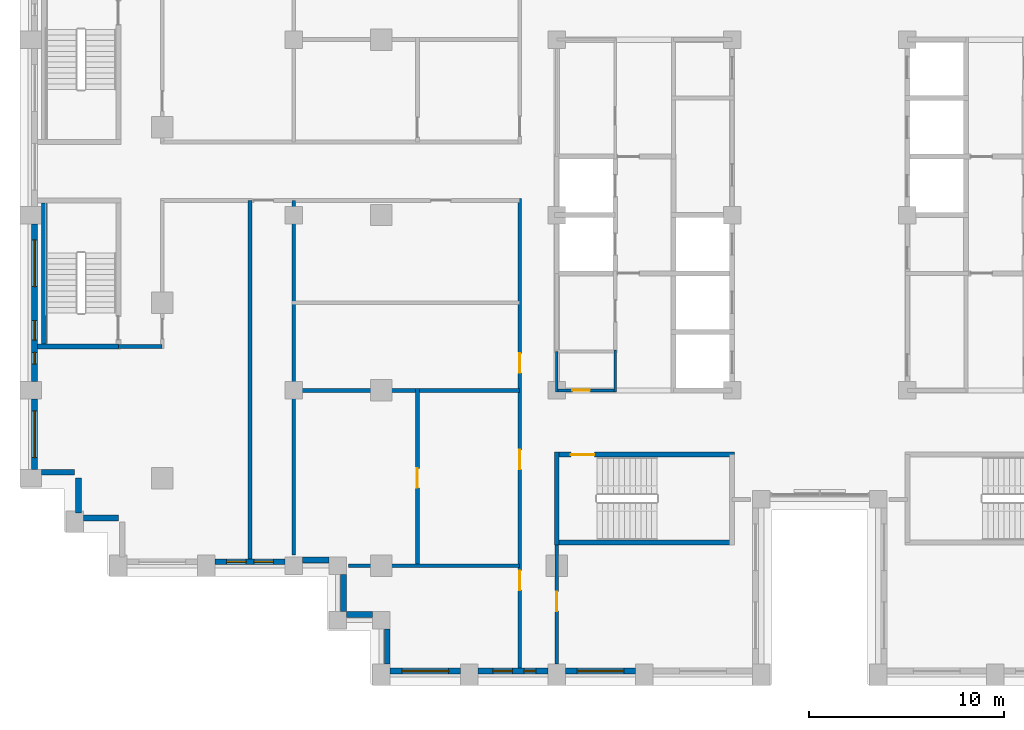
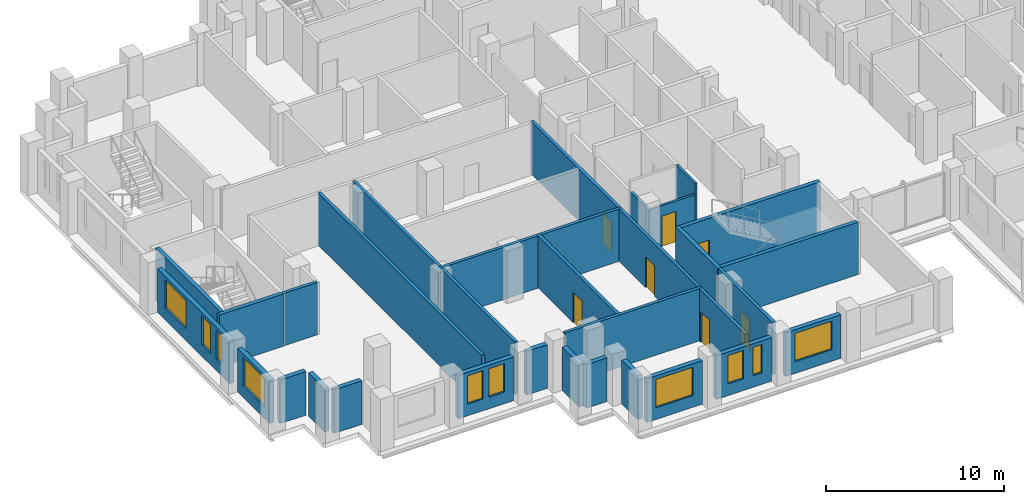
# One storey, part 6 of 16: 29 walls, 10 windows, 7 doors, 17 openings.
"""IFC4 building model written with IfcOpenShell, lengths in metres."""

from ifc_helpers import new_model, si_unit, direction, frame, frame_2d, origin, place, context, subcontext, project, spatial, rectangle, extrude, material, layer, layer_set, type_object, element, fill, save


model = new_model("IFC4")

# Units and contexts
model_context = context("Model", 3, precision=1e-05, world=origin(), true_north=direction((0.0, 1.0)))
body_context = subcontext(model_context, "Body", "Model", "MODEL_VIEW")
ifc_project = project(units=[si_unit("LENGTHUNIT", "METRE"), si_unit("AREAUNIT", "SQUARE_METRE"), si_unit("VOLUMEUNIT", "CUBIC_METRE"), si_unit("PLANEANGLEUNIT", "RADIAN"), si_unit("MASSUNIT", "GRAM", prefix="KILO")], contexts=[model_context])

# Site, building, storey
site_placement = place(None, origin())
site = spatial("IfcSite", under=ifc_project, at=site_placement, CompositionType="ELEMENT")
building_placement = place(site_placement, origin())
building = spatial("IfcBuilding", under=site, at=building_placement, Name="Corbelhall Arena Tower", CompositionType="ELEMENT")
storey_placement = place(building_placement, frame((0.0, 0.0, 174.0)))
storey = spatial("IfcBuildingStorey", under=building, at=storey_placement, Name="L35", CompositionType="ELEMENT", Elevation=174.0)

# Walls
ifc_material_1 = material(Name="Precast concrete C40/50 with granite facing", Category="masonry")
ifc_layer_1 = layer(ifc_material_1, 0.300048828125)
ifc_layer_set_1 = layer_set([ifc_layer_1], Name="EV-IW1 Infill panel 300")
wall_type_1 = type_object("IfcWallType", Name="EV-IW1 Infill panel 300", PredefinedType="SOLIDWALL", material=ifc_layer_set_1)
wall_1_placement = place(storey_placement, frame((-39.949951171875, -13.199951171875, 0.0), z_axis=(0.0, 0.0, 1.0), x_axis=(1.0, 0.0, 0.0)))
element("IfcWall", 1, at=wall_1_placement, inside=storey, type_object=wall_type_1, Name="Infill panel IW1", PredefinedType="SOLIDWALL", context=body_context, shape_type="SweptSolid", body=[
    extrude(rectangle(XDim=1.699951171875, YDim=0.300048828125, at=frame_2d((0.85009765625, 0.0))), origin(), (0.0, 0.0, 1.0), 2.989990234375),
])
for number, where, z_axis, x_axis, name in (
    (2, (-38.050048828125, -15.300048828125, 0.0), (0.0, 0.0, 1.0), (0.0, 1.0, 0.0), "Infill panel IW1"),
    (3, (-37.800048828125, -15.550048828125, 0.0), (0.0, 0.0, 1.0), (1.0, 0.0, 0.0), "Infill panel IW1"),
):
    element("IfcWall", number, at=place(storey_placement, frame(where, z_axis=z_axis, x_axis=x_axis)), inside=storey, type_object=wall_type_1, Name=name, PredefinedType="SOLIDWALL", context=body_context, shape_type="SweptSolid", body=[
        extrude(rectangle(XDim=1.800048828125, YDim=0.300048828125, at=frame_2d((0.89990234375, 0.0))), origin(), (0.0, 0.0, 1.0), 2.989990234375),
    ])

# Wall, openings, windows
wall_2_placement = place(storey_placement, frame((-40.300048828125, -0.449951171875, 0.0), z_axis=(0.0, 0.0, 1.0), x_axis=(0.0, -1.0, 0.0)))
wall_2 = element("IfcWall", 4, at=wall_2_placement, inside=storey, type_object=wall_type_1, Name="Infill panel IW1", PredefinedType="SOLIDWALL", context=body_context, shape_type="SweptSolid", body=[
    extrude(rectangle(XDim=8.10009765625, YDim=0.300048828125, at=frame_2d((4.050048828125, 0.0))), origin(), (0.0, 0.0, 1.0), 2.989990234375),
])
opening_1_placement = place(wall_2_placement, frame((0.824951171875, 0.0, 0.800048828125)))
opening_1 = element("IfcOpeningElement", 5, at=opening_1_placement, cuts=wall_2, Name="Opening WN1", PredefinedType="OPENING", context=body_context, shape_type="SweptSolid", body=[
    extrude(rectangle(XDim=2.39990234375, YDim=1.949951171875, at=frame_2d((1.199951171875, 0.97509765625))), frame((0.0, 0.14990234375, 0.0), z_axis=(0.0, -1.0, 0.0), x_axis=(1.0, 0.0, 0.0)), (0.0, 0.0, 1.0), 0.300048828125),
])
opening_2_placement = place(wall_2_placement, frame((4.97509765625, 0.0, 0.800048828125)))
opening_2 = element("IfcOpeningElement", 6, at=opening_2_placement, cuts=wall_2, Name="Opening WN6", PredefinedType="OPENING", context=body_context, shape_type="SweptSolid", body=[
    extrude(rectangle(XDim=1.0, YDim=1.949951171875, at=frame_2d((0.5, 0.97509765625))), frame((0.0, 0.14990234375, 0.0), z_axis=(0.0, -1.0, 0.0), x_axis=(1.0, 0.0, 0.0)), (0.0, 0.0, 1.0), 0.300048828125),
])
opening_3_placement = place(wall_2_placement, frame((6.60009765625, 0.0, 0.800048828125)))
opening_3 = element("IfcOpeningElement", 7, at=opening_3_placement, cuts=wall_2, Name="Opening WN5", PredefinedType="OPENING", context=body_context, shape_type="SweptSolid", body=[
    extrude(rectangle(XDim=0.60009765625, YDim=1.949951171875, at=frame_2d((0.300048828125, 0.97509765625))), frame((0.0, 0.14990234375, 0.0), z_axis=(0.0, -1.0, 0.0), x_axis=(1.0, 0.0, 0.0)), (0.0, 0.0, 1.0), 0.300048828125),
])
ifc_material_2 = material(Name="Aluminium black anodised", Category="aluminium")
window_type_1 = type_object("IfcWindowType", Name="EV-WN1 Office window", PartitioningType="SINGLE_PANEL", PredefinedType="WINDOW", material=ifc_material_2)
window_1_placement = place(opening_1_placement, origin())
window_1 = element("IfcWindow", 8, at=window_1_placement, inside=storey, type_object=window_type_1, Name="Window WN1", OverallHeight=1.949951171875, OverallWidth=2.39990234375, PartitioningType="SINGLE_PANEL", PredefinedType="WINDOW", context=body_context, shape_type="SweptSolid", body=[
    extrude(rectangle(XDim=2.39990234375, YDim=1.949951171875, at=frame_2d((1.199951171875, 0.97509765625))), frame((0.0, 0.030029296875, 0.0), z_axis=(0.0, -1.0, 0.0), x_axis=(1.0, 0.0, 0.0)), (0.0, 0.0, 1.0), 0.06005859375),
])
fill(opening_1, window_1)
window_type_2 = type_object("IfcWindowType", Name="EV-WN5 Office window 600", PartitioningType="SINGLE_PANEL", PredefinedType="WINDOW", material=ifc_material_2)
window_2_placement = place(opening_3_placement, origin())
window_2 = element("IfcWindow", 9, at=window_2_placement, inside=storey, type_object=window_type_2, Name="Window WN5", OverallHeight=1.949951171875, OverallWidth=0.60009765625, PartitioningType="SINGLE_PANEL", PredefinedType="WINDOW", context=body_context, shape_type="SweptSolid", body=[
    extrude(rectangle(XDim=0.60009765625, YDim=1.949951171875, at=frame_2d((0.300048828125, 0.97509765625))), frame((0.0, 0.030029296875, 0.0), z_axis=(0.0, -1.0, 0.0), x_axis=(1.0, 0.0, 0.0)), (0.0, 0.0, 1.0), 0.06005859375),
])
fill(opening_3, window_2)
window_type_3 = type_object("IfcWindowType", Name="EV-WN6 Office window 1000", PartitioningType="SINGLE_PANEL", PredefinedType="WINDOW", material=ifc_material_2)
window_3_placement = place(opening_2_placement, origin())
window_3 = element("IfcWindow", 10, at=window_3_placement, inside=storey, type_object=window_type_3, Name="Window WN6", OverallHeight=1.949951171875, OverallWidth=1.0, PartitioningType="SINGLE_PANEL", PredefinedType="WINDOW", context=body_context, shape_type="SweptSolid", body=[
    extrude(rectangle(XDim=1.0, YDim=1.949951171875, at=frame_2d((0.5, 0.97509765625))), frame((0.0, 0.030029296875, 0.0), z_axis=(0.0, -1.0, 0.0), x_axis=(1.0, 0.0, 0.0)), (0.0, 0.0, 1.0), 0.06005859375),
])
fill(opening_2, window_3)

# Wall, opening, window
wall_3_placement = place(storey_placement, frame((-40.300048828125, -9.449951171875, 0.0), z_axis=(0.0, 0.0, 1.0), x_axis=(0.0, -1.0, 0.0)))
wall_3 = element("IfcWall", 11, at=wall_3_placement, inside=storey, type_object=wall_type_1, Name="Infill panel IW1", PredefinedType="SOLIDWALL", context=body_context, shape_type="SweptSolid", body=[
    extrude(rectangle(XDim=3.60009765625, YDim=0.300048828125, at=frame_2d((1.800048828125, 0.0))), origin(), (0.0, 0.0, 1.0), 2.989990234375),
])
opening_4_placement = place(wall_3_placement, frame((0.60009765625, 0.0, 0.800048828125)))
opening_4 = element("IfcOpeningElement", 12, at=opening_4_placement, cuts=wall_3, Name="Opening WN1", PredefinedType="OPENING", context=body_context, shape_type="SweptSolid", body=[
    extrude(rectangle(XDim=2.39990234375, YDim=1.949951171875, at=frame_2d((1.199951171875, 0.97509765625))), frame((0.0, 0.14990234375, 0.0), z_axis=(0.0, -1.0, 0.0), x_axis=(1.0, 0.0, 0.0)), (0.0, 0.0, 1.0), 0.300048828125),
])
window_4_placement = place(opening_4_placement, origin())
window_4 = element("IfcWindow", 13, at=window_4_placement, inside=storey, type_object=window_type_1, Name="Window WN1", OverallHeight=1.949951171875, OverallWidth=2.39990234375, PartitioningType="SINGLE_PANEL", PredefinedType="WINDOW", context=body_context, shape_type="SweptSolid", body=[
    extrude(rectangle(XDim=2.39990234375, YDim=1.949951171875, at=frame_2d((1.199951171875, 0.97509765625))), frame((0.0, 0.030029296875, 0.0), z_axis=(0.0, -1.0, 0.0), x_axis=(1.0, 0.0, 0.0)), (0.0, 0.0, 1.0), 0.06005859375),
])
fill(opening_4, window_4)

# Wall, openings, windows
wall_4_placement = place(storey_placement, frame((-31.050048828125, -17.800048828125, 0.0), z_axis=(0.0, 0.0, 1.0), x_axis=(1.0, 0.0, 0.0)))
wall_4 = element("IfcWall", 14, at=wall_4_placement, inside=storey, type_object=wall_type_1, Name="Infill panel IW1", PredefinedType="SOLIDWALL", context=body_context, shape_type="SweptSolid", body=[
    extrude(rectangle(XDim=3.60009765625, YDim=0.300048828125, at=frame_2d((1.800048828125, 0.0))), origin(), (0.0, 0.0, 1.0), 2.989990234375),
])
opening_5_placement = place(wall_4_placement, frame((0.60009765625, 0.0, 0.800048828125)))
opening_5 = element("IfcOpeningElement", 15, at=opening_5_placement, cuts=wall_4, Name="Opening WN6", PredefinedType="OPENING", context=body_context, shape_type="SweptSolid", body=[
    extrude(rectangle(XDim=1.0, YDim=1.949951171875, at=frame_2d((0.5, 0.97509765625))), frame((0.0, 0.14990234375, 0.0), z_axis=(0.0, -1.0, 0.0), x_axis=(1.0, 0.0, 0.0)), (0.0, 0.0, 1.0), 0.300048828125),
])
opening_6_placement = place(wall_4_placement, frame((2.0, 0.0, 0.800048828125)))
opening_6 = element("IfcOpeningElement", 16, at=opening_6_placement, cuts=wall_4, Name="Opening WN6", PredefinedType="OPENING", context=body_context, shape_type="SweptSolid", body=[
    extrude(rectangle(XDim=1.0, YDim=1.949951171875, at=frame_2d((0.5, 0.97509765625))), frame((0.0, 0.14990234375, 0.0), z_axis=(0.0, -1.0, 0.0), x_axis=(1.0, 0.0, 0.0)), (0.0, 0.0, 1.0), 0.300048828125),
])
window_5_placement = place(opening_5_placement, origin())
window_5 = element("IfcWindow", 17, at=window_5_placement, inside=storey, type_object=window_type_3, Name="Window WN6", OverallHeight=1.949951171875, OverallWidth=1.0, PartitioningType="SINGLE_PANEL", PredefinedType="WINDOW", context=body_context, shape_type="SweptSolid", body=[
    extrude(rectangle(XDim=1.0, YDim=1.949951171875, at=frame_2d((0.5, 0.97509765625))), frame((0.0, 0.030029296875, 0.0), z_axis=(0.0, -1.0, 0.0), x_axis=(1.0, 0.0, 0.0)), (0.0, 0.0, 1.0), 0.06005859375),
])
fill(opening_5, window_5)
window_6_placement = place(opening_6_placement, origin())
window_6 = element("IfcWindow", 18, at=window_6_placement, inside=storey, type_object=window_type_3, Name="Window WN6", OverallHeight=1.949951171875, OverallWidth=1.0, PartitioningType="SINGLE_PANEL", PredefinedType="WINDOW", context=body_context, shape_type="SweptSolid", body=[
    extrude(rectangle(XDim=1.0, YDim=1.949951171875, at=frame_2d((0.5, 0.97509765625))), frame((0.0, 0.030029296875, 0.0), z_axis=(0.0, -1.0, 0.0), x_axis=(1.0, 0.0, 0.0)), (0.0, 0.0, 1.0), 0.06005859375),
])
fill(opening_6, window_6)

# Walls
wall_5_placement = place(storey_placement, frame((-26.550048828125, -17.699951171875, 0.0), z_axis=(0.0, 0.0, 1.0), x_axis=(1.0, 0.0, 0.0)))
element("IfcWall", 19, at=wall_5_placement, inside=storey, type_object=wall_type_1, Name="Infill panel IW1", PredefinedType="SOLIDWALL", context=body_context, shape_type="SweptSolid", body=[
    extrude(rectangle(XDim=1.35009765625, YDim=0.300048828125, at=frame_2d((0.675048828125, 0.0))), origin(), (0.0, 0.0, 1.0), 2.989990234375),
])
wall_6_placement = place(storey_placement, frame((-24.449951171875, -18.449951171875, 0.0), z_axis=(0.0, 0.0, 1.0), x_axis=(0.0, -1.0, 0.0)))
element("IfcWall", 20, at=wall_6_placement, inside=storey, type_object=wall_type_1, Name="Infill panel IW1", PredefinedType="SOLIDWALL", context=body_context, shape_type="SweptSolid", body=[
    extrude(rectangle(XDim=1.900146484375, YDim=0.300048828125, at=frame_2d((0.9501953125, 0.0))), origin(), (0.0, 0.0, 1.0), 2.989990234375),
])
wall_7_placement = place(storey_placement, frame((-24.300048828125, -20.5, 0.0), z_axis=(0.0, 0.0, 1.0), x_axis=(1.0, 0.0, 0.0)))
element("IfcWall", 21, at=wall_7_placement, inside=storey, type_object=wall_type_1, Name="Infill panel IW1", PredefinedType="SOLIDWALL", context=body_context, shape_type="SweptSolid", body=[
    extrude(rectangle(XDim=1.35009765625, YDim=0.300048828125, at=frame_2d((0.675048828125, 0.0))), origin(), (0.0, 0.0, 1.0), 2.989990234375),
])
wall_8_placement = place(storey_placement, frame((-22.199951171875, -21.25, 0.0), z_axis=(0.0, 0.0, 1.0), x_axis=(0.0, -1.0, 0.0)))
element("IfcWall", 22, at=wall_8_placement, inside=storey, type_object=wall_type_1, Name="Infill panel IW1", PredefinedType="SOLIDWALL", context=body_context, shape_type="SweptSolid", body=[
    extrude(rectangle(XDim=1.800048828125, YDim=0.300048828125, at=frame_2d((0.89990234375, 0.0))), origin(), (0.0, 0.0, 1.0), 2.989990234375),
])

# Wall, opening, window
wall_9_placement = place(storey_placement, frame((-22.050048828125, -23.39990234375, 0.0), z_axis=(0.0, 0.0, 1.0), x_axis=(1.0, 0.0, 0.0)))
wall_9 = element("IfcWall", 23, at=wall_9_placement, inside=storey, type_object=wall_type_1, Name="Infill panel IW1", PredefinedType="SOLIDWALL", context=body_context, shape_type="SweptSolid", body=[
    extrude(rectangle(XDim=3.60009765625, YDim=0.300048828125, at=frame_2d((1.800048828125, 0.0))), origin(), (0.0, 0.0, 1.0), 2.989990234375),
])
opening_7_placement = place(wall_9_placement, frame((0.60009765625, 0.0, 0.800048828125)))
opening_7 = element("IfcOpeningElement", 24, at=opening_7_placement, cuts=wall_9, Name="Opening WN1", PredefinedType="OPENING", context=body_context, shape_type="SweptSolid", body=[
    extrude(rectangle(XDim=2.39990234375, YDim=1.949951171875, at=frame_2d((1.199951171875, 0.97509765625))), frame((0.0, 0.14990234375, 0.0), z_axis=(0.0, -1.0, 0.0), x_axis=(1.0, 0.0, 0.0)), (0.0, 0.0, 1.0), 0.300048828125),
])
window_7_placement = place(opening_7_placement, origin())
window_7 = element("IfcWindow", 25, at=window_7_placement, inside=storey, type_object=window_type_1, Name="Window WN1", OverallHeight=1.949951171875, OverallWidth=2.39990234375, PartitioningType="SINGLE_PANEL", PredefinedType="WINDOW", context=body_context, shape_type="SweptSolid", body=[
    extrude(rectangle(XDim=2.39990234375, YDim=1.949951171875, at=frame_2d((1.199951171875, 0.97509765625))), frame((0.0, 0.030029296875, 0.0), z_axis=(0.0, -1.0, 0.0), x_axis=(1.0, 0.0, 0.0)), (0.0, 0.0, 1.0), 0.06005859375),
])
fill(opening_7, window_7)

# Wall, openings, windows
wall_10_placement = place(storey_placement, frame((-17.550048828125, -23.39990234375, 0.0), z_axis=(0.0, 0.0, 1.0), x_axis=(1.0, 0.0, 0.0)))
wall_10 = element("IfcWall", 26, at=wall_10_placement, inside=storey, type_object=wall_type_1, Name="Infill panel IW1", PredefinedType="SOLIDWALL", context=body_context, shape_type="SweptSolid", body=[
    extrude(rectangle(XDim=3.60009765625, YDim=0.300048828125, at=frame_2d((1.800048828125, 0.0))), origin(), (0.0, 0.0, 1.0), 2.989990234375),
])
opening_8_placement = place(wall_10_placement, frame((0.77490234375, 0.0, 0.800048828125)))
opening_8 = element("IfcOpeningElement", 27, at=opening_8_placement, cuts=wall_10, Name="Opening WN6", PredefinedType="OPENING", context=body_context, shape_type="SweptSolid", body=[
    extrude(rectangle(XDim=1.0, YDim=1.949951171875, at=frame_2d((0.5, 0.97509765625))), frame((0.0, 0.14990234375, 0.0), z_axis=(0.0, -1.0, 0.0), x_axis=(1.0, 0.0, 0.0)), (0.0, 0.0, 1.0), 0.300048828125),
])
opening_9_placement = place(wall_10_placement, frame((2.375, 0.0, 0.800048828125)))
opening_9 = element("IfcOpeningElement", 28, at=opening_9_placement, cuts=wall_10, Name="Opening WN5", PredefinedType="OPENING", context=body_context, shape_type="SweptSolid", body=[
    extrude(rectangle(XDim=0.60009765625, YDim=1.949951171875, at=frame_2d((0.300048828125, 0.97509765625))), frame((0.0, 0.14990234375, 0.0), z_axis=(0.0, -1.0, 0.0), x_axis=(1.0, 0.0, 0.0)), (0.0, 0.0, 1.0), 0.300048828125),
])
window_8_placement = place(opening_9_placement, origin())
window_8 = element("IfcWindow", 29, at=window_8_placement, inside=storey, type_object=window_type_2, Name="Window WN5", OverallHeight=1.949951171875, OverallWidth=0.60009765625, PartitioningType="SINGLE_PANEL", PredefinedType="WINDOW", context=body_context, shape_type="SweptSolid", body=[
    extrude(rectangle(XDim=0.60009765625, YDim=1.949951171875, at=frame_2d((0.300048828125, 0.97509765625))), frame((0.0, 0.030029296875, 0.0), z_axis=(0.0, -1.0, 0.0), x_axis=(1.0, 0.0, 0.0)), (0.0, 0.0, 1.0), 0.06005859375),
])
fill(opening_9, window_8)
window_9_placement = place(opening_8_placement, origin())
window_9 = element("IfcWindow", 30, at=window_9_placement, inside=storey, type_object=window_type_3, Name="Window WN6", OverallHeight=1.949951171875, OverallWidth=1.0, PartitioningType="SINGLE_PANEL", PredefinedType="WINDOW", context=body_context, shape_type="SweptSolid", body=[
    extrude(rectangle(XDim=1.0, YDim=1.949951171875, at=frame_2d((0.5, 0.97509765625))), frame((0.0, 0.030029296875, 0.0), z_axis=(0.0, -1.0, 0.0), x_axis=(1.0, 0.0, 0.0)), (0.0, 0.0, 1.0), 0.06005859375),
])
fill(opening_8, window_9)

# Wall, opening, window
wall_11_placement = place(storey_placement, frame((-13.050048828125, -23.39990234375, 0.0), z_axis=(0.0, 0.0, 1.0), x_axis=(1.0, 0.0, 0.0)))
wall_11 = element("IfcWall", 31, at=wall_11_placement, inside=storey, type_object=wall_type_1, Name="Infill panel IW1", PredefinedType="SOLIDWALL", context=body_context, shape_type="SweptSolid", body=[
    extrude(rectangle(XDim=3.60009765625, YDim=0.300048828125, at=frame_2d((1.800048828125, 0.0))), origin(), (0.0, 0.0, 1.0), 2.989990234375),
])
opening_10_placement = place(wall_11_placement, frame((0.60009765625, 0.0, 0.800048828125)))
opening_10 = element("IfcOpeningElement", 32, at=opening_10_placement, cuts=wall_11, Name="Opening WN1", PredefinedType="OPENING", context=body_context, shape_type="SweptSolid", body=[
    extrude(rectangle(XDim=2.39990234375, YDim=1.949951171875, at=frame_2d((1.199951171875, 0.97509765625))), frame((0.0, 0.14990234375, 0.0), z_axis=(0.0, -1.0, 0.0), x_axis=(1.0, 0.0, 0.0)), (0.0, 0.0, 1.0), 0.300048828125),
])
window_10_placement = place(opening_10_placement, origin())
window_10 = element("IfcWindow", 33, at=window_10_placement, inside=storey, type_object=window_type_1, Name="Window WN1", OverallHeight=1.949951171875, OverallWidth=2.39990234375, PartitioningType="SINGLE_PANEL", PredefinedType="WINDOW", context=body_context, shape_type="SweptSolid", body=[
    extrude(rectangle(XDim=2.39990234375, YDim=1.949951171875, at=frame_2d((1.199951171875, 0.97509765625))), frame((0.0, 0.030029296875, 0.0), z_axis=(0.0, -1.0, 0.0), x_axis=(1.0, 0.0, 0.0)), (0.0, 0.0, 1.0), 0.06005859375),
])
fill(opening_10, window_10)

# Walls
ifc_material_3 = material(Name="Gypsum board on steel stud, acoustic", Category="steel")
ifc_layer_2 = layer(ifc_material_3, 0.199951171875)
ifc_layer_set_2 = layer_set([ifc_layer_2], Name="IN-W-DM200")
wall_type_2 = type_object("IfcWallType", Name="IN-W-DM200", PredefinedType="PARTITIONING", material=ifc_layer_set_2)
wall_12_placement = place(storey_placement, frame((-33.75, -6.75, 0.0), z_axis=(0.0, 0.0, 1.0), x_axis=(-1.0, 0.0, 0.0)))
element("IfcWall", 34, at=wall_12_placement, inside=storey, type_object=wall_type_2, Name="Partition 003", PredefinedType="PARTITIONING", context=body_context, shape_type="SweptSolid", body=[
    extrude(rectangle(XDim=2.25, YDim=0.199951171875, at=frame_2d((1.125, 0.0))), origin(), (0.0, 0.0, 1.0), 3.590087890625),
])
wall_13_placement = place(storey_placement, frame((-29.25, 0.75, 0.0), z_axis=(0.0, 0.0, 1.0), x_axis=(0.0, -1.0, 0.0)))
element("IfcWall", 35, at=wall_13_placement, inside=storey, type_object=wall_type_2, Name="Partition 006", PredefinedType="PARTITIONING", context=body_context, shape_type="SweptSolid", body=[
    extrude(rectangle(XDim=18.39990234375, YDim=0.199951171875, at=frame_2d((9.199951171875, 0.0))), origin(), (0.0, 0.0, 1.0), 3.590087890625),
])
wall_14_placement = place(storey_placement, frame((-27.10009765625, -9.0, 0.0), z_axis=(0.0, 0.0, 1.0), x_axis=(1.0, 0.0, 0.0)))
element("IfcWall", 36, at=wall_14_placement, inside=storey, type_object=wall_type_2, Name="Partition 008", PredefinedType="PARTITIONING", context=body_context, shape_type="SweptSolid", body=[
    extrude(rectangle(XDim=11.7001953125, YDim=0.199951171875, at=frame_2d((5.85009765625, 0.0))), origin(), (0.0, 0.0, 1.0), 3.590087890625),
])
wall_15_placement = place(storey_placement, frame((-27.0, -17.449951171875, 0.0), z_axis=(0.0, 0.0, 1.0), x_axis=(0.0, 1.0, 0.0)))
element("IfcWall", 37, at=wall_15_placement, inside=storey, type_object=wall_type_2, Name="Partition 011", PredefinedType="PARTITIONING", context=body_context, shape_type="SweptSolid", body=[
    extrude(rectangle(XDim=18.199951171875, YDim=0.199951171875, at=frame_2d((9.10009765625, 0.0))), origin(), (0.0, 0.0, 1.0), 3.590087890625),
])
wall_16_placement = place(storey_placement, frame((-24.199951171875, -18.0, 0.0), z_axis=(0.0, 0.0, 1.0), x_axis=(1.0, 0.0, 0.0)))
element("IfcWall", 38, at=wall_16_placement, inside=storey, type_object=wall_type_2, Name="Partition 013", PredefinedType="PARTITIONING", context=body_context, shape_type="SweptSolid", body=[
    extrude(rectangle(XDim=8.800048828125, YDim=0.199951171875, at=frame_2d((4.39990234375, 0.0))), origin(), (0.0, 0.0, 1.0), 3.590087890625),
])

# Wall, opening, door
wall_17_placement = place(storey_placement, frame((-20.64990234375, -18.0, 0.0), z_axis=(0.0, 0.0, 1.0), x_axis=(0.0, 1.0, 0.0)))
wall_17 = element("IfcWall", 39, at=wall_17_placement, inside=storey, type_object=wall_type_2, Name="Partition 016", PredefinedType="PARTITIONING", context=body_context, shape_type="SweptSolid", body=[
    extrude(rectangle(XDim=9.10009765625, YDim=0.199951171875, at=frame_2d((4.550048828125, 0.0))), origin(), (0.0, 0.0, 1.0), 3.590087890625),
])
opening_11_placement = place(wall_17_placement, frame((4.0, 0.0, 0.0)))
opening_11 = element("IfcOpeningElement", 40, at=opening_11_placement, cuts=wall_17, Name="Opening 10031", PredefinedType="OPENING", context=body_context, shape_type="SweptSolid", body=[
    extrude(rectangle(XDim=1.0, YDim=2.10009765625, at=frame_2d((0.5, 1.050048828125))), frame((0.0, 0.10009765625, 0.0), z_axis=(0.0, -1.0, 0.0), x_axis=(1.0, 0.0, 0.0)), (0.0, 0.0, 1.0), 0.199951171875),
])
ifc_material_4 = material(Name="Steel door set", Category="steel")
door_type_1 = type_object("IfcDoorType", Name="IN-D-SW100", OperationType="NOTDEFINED", PredefinedType="DOOR", material=ifc_material_4)
door_1_placement = place(opening_11_placement, origin())
door_1 = element("IfcDoor", 41, at=door_1_placement, inside=storey, type_object=door_type_1, Name="Door 031", OperationType="SINGLE_SWING_RIGHT", OverallHeight=2.10009765625, OverallWidth=1.0, PredefinedType="DOOR", context=body_context, shape_type="SweptSolid", body=[
    extrude(rectangle(XDim=1.0, YDim=2.10009765625, at=frame_2d((0.5, 1.050048828125))), frame((0.0, 0.02490234375, 0.0), z_axis=(0.0, -1.0, 0.0), x_axis=(1.0, 0.0, 0.0)), (0.0, 0.0, 1.0), 0.050048828125),
])
fill(opening_11, door_1)

# Wall, openings, doors
wall_18_placement = place(storey_placement, frame((-15.39990234375, -23.25, 0.0), z_axis=(0.0, 0.0, 1.0), x_axis=(0.0, 1.0, 0.0)))
wall_18 = element("IfcWall", 42, at=wall_18_placement, inside=storey, type_object=wall_type_2, Name="Partition 018", PredefinedType="PARTITIONING", context=body_context, shape_type="SweptSolid", body=[
    extrude(rectangle(XDim=24.10009765625, YDim=0.199951171875, at=frame_2d((12.050048828125, 0.0))), origin(), (0.0, 0.0, 1.0), 3.590087890625),
])
opening_12_placement = place(wall_18_placement, frame((4.0, 0.0, 0.0)))
opening_12 = element("IfcOpeningElement", 43, at=opening_12_placement, cuts=wall_18, Name="Opening 10029", PredefinedType="OPENING", context=body_context, shape_type="SweptSolid", body=[
    extrude(rectangle(XDim=1.0, YDim=2.10009765625, at=frame_2d((0.5, 1.050048828125))), frame((0.0, 0.10009765625, 0.0), z_axis=(0.0, -1.0, 0.0), x_axis=(1.0, 0.0, 0.0)), (0.0, 0.0, 1.0), 0.199951171875),
])
opening_13_placement = place(wall_18_placement, frame((10.199951171875, 0.0, 0.0)))
opening_13 = element("IfcOpeningElement", 44, at=opening_13_placement, cuts=wall_18, Name="Opening 10030", PredefinedType="OPENING", context=body_context, shape_type="SweptSolid", body=[
    extrude(rectangle(XDim=1.0, YDim=2.10009765625, at=frame_2d((0.5, 1.050048828125))), frame((0.0, 0.10009765625, 0.0), z_axis=(0.0, -1.0, 0.0), x_axis=(1.0, 0.0, 0.0)), (0.0, 0.0, 1.0), 0.199951171875),
])
opening_14_placement = place(wall_18_placement, frame((15.14990234375, 0.0, 0.0)))
opening_14 = element("IfcOpeningElement", 45, at=opening_14_placement, cuts=wall_18, Name="Opening 10032", PredefinedType="OPENING", context=body_context, shape_type="SweptSolid", body=[
    extrude(rectangle(XDim=1.0, YDim=2.10009765625, at=frame_2d((0.5, 1.050048828125))), frame((0.0, 0.10009765625, 0.0), z_axis=(0.0, -1.0, 0.0), x_axis=(1.0, 0.0, 0.0)), (0.0, 0.0, 1.0), 0.199951171875),
])
door_2_placement = place(opening_12_placement, origin())
door_2 = element("IfcDoor", 46, at=door_2_placement, inside=storey, type_object=door_type_1, Name="Door 029", OperationType="SINGLE_SWING_RIGHT", OverallHeight=2.10009765625, OverallWidth=1.0, PredefinedType="DOOR", context=body_context, shape_type="SweptSolid", body=[
    extrude(rectangle(XDim=1.0, YDim=2.10009765625, at=frame_2d((0.5, 1.050048828125))), frame((0.0, 0.02490234375, 0.0), z_axis=(0.0, -1.0, 0.0), x_axis=(1.0, 0.0, 0.0)), (0.0, 0.0, 1.0), 0.050048828125),
])
fill(opening_12, door_2)
door_3_placement = place(opening_13_placement, origin())
door_3 = element("IfcDoor", 47, at=door_3_placement, inside=storey, type_object=door_type_1, Name="Door 030", OperationType="SINGLE_SWING_LEFT", OverallHeight=2.10009765625, OverallWidth=1.0, PredefinedType="DOOR", context=body_context, shape_type="SweptSolid", body=[
    extrude(rectangle(XDim=1.0, YDim=2.10009765625, at=frame_2d((0.5, 1.050048828125))), frame((0.0, 0.02490234375, 0.0), z_axis=(0.0, -1.0, 0.0), x_axis=(1.0, 0.0, 0.0)), (0.0, 0.0, 1.0), 0.050048828125),
])
fill(opening_13, door_3)
door_4_placement = place(opening_14_placement, origin())
door_4 = element("IfcDoor", 48, at=door_4_placement, inside=storey, type_object=door_type_1, Name="Door 032", OperationType="SINGLE_SWING_LEFT", OverallHeight=2.10009765625, OverallWidth=1.0, PredefinedType="DOOR", context=body_context, shape_type="SweptSolid", body=[
    extrude(rectangle(XDim=1.0, YDim=2.10009765625, at=frame_2d((0.5, 1.050048828125))), frame((0.0, 0.02490234375, 0.0), z_axis=(0.0, -1.0, 0.0), x_axis=(1.0, 0.0, 0.0)), (0.0, 0.0, 1.0), 0.050048828125),
])
fill(opening_14, door_4)

# Wall, opening, door
wall_19_placement = place(storey_placement, frame((-13.5, -16.675048828125, 0.0), z_axis=(0.0, 0.0, 1.0), x_axis=(0.0, -1.0, 0.0)))
wall_19 = element("IfcWall", 49, at=wall_19_placement, inside=storey, type_object=wall_type_2, Name="Partition 023", PredefinedType="PARTITIONING", context=body_context, shape_type="SweptSolid", body=[
    extrude(rectangle(XDim=6.375, YDim=0.199951171875, at=frame_2d((3.1875, 0.0))), origin(), (0.0, 0.0, 1.0), 3.590087890625),
])
opening_15_placement = place(wall_19_placement, frame((2.64990234375, 0.0, 0.0)))
opening_15 = element("IfcOpeningElement", 50, at=opening_15_placement, cuts=wall_19, Name="Opening 10024", PredefinedType="OPENING", context=body_context, shape_type="SweptSolid", body=[
    extrude(rectangle(XDim=1.0, YDim=2.10009765625, at=frame_2d((0.5, 1.050048828125))), frame((0.0, 0.10009765625, 0.0), z_axis=(0.0, -1.0, 0.0), x_axis=(1.0, 0.0, 0.0)), (0.0, 0.0, 1.0), 0.199951171875),
])
door_5_placement = place(opening_15_placement, origin())
door_5 = element("IfcDoor", 51, at=door_5_placement, inside=storey, type_object=door_type_1, Name="Door 024", OperationType="SINGLE_SWING_LEFT", OverallHeight=2.10009765625, OverallWidth=1.0, PredefinedType="DOOR", context=body_context, shape_type="SweptSolid", body=[
    extrude(rectangle(XDim=1.0, YDim=2.10009765625, at=frame_2d((0.5, 1.050048828125))), frame((0.0, 0.02490234375, 0.0), z_axis=(0.0, -1.0, 0.0), x_axis=(1.0, 0.0, 0.0)), (0.0, 0.0, 1.0), 0.050048828125),
])
fill(opening_15, door_5)

# Walls
ifc_material_5 = material(Name="Concrete C40/50", Category="concrete")
ifc_layer_3 = layer(ifc_material_5, 0.25)
ifc_layer_set_3 = layer_set([ifc_layer_3], Name="IN-W-ST250")
wall_type_3 = type_object("IfcWallType", Name="IN-W-ST250", PredefinedType="SOLIDWALL", material=ifc_layer_set_3)
wall_20_placement = place(storey_placement, frame((-36.0, -6.75, 0.0), z_axis=(0.0, 0.0, 1.0), x_axis=(-1.0, 0.0, 0.0)))
element("IfcWall", 52, at=wall_20_placement, inside=storey, type_object=wall_type_3, Name="Shaft wall 084", PredefinedType="SOLIDWALL", context=body_context, shape_type="SweptSolid", body=[
    extrude(rectangle(XDim=4.14990234375, YDim=0.25, at=frame_2d((2.074951171875, 0.0))), origin(), (0.0, 0.0, 1.0), 3.590087890625),
])
wall_21_placement = place(storey_placement, frame((-13.5, -12.175048828125, 0.0), z_axis=(0.0, 0.0, 1.0), x_axis=(0.0, -1.0, 0.0)))
element("IfcWall", 53, at=wall_21_placement, inside=storey, type_object=wall_type_3, Name="Shaft wall 088", PredefinedType="SOLIDWALL", context=body_context, shape_type="SweptSolid", body=[
    extrude(rectangle(XDim=4.75, YDim=0.25, at=frame_2d((2.375, 0.0))), origin(), (0.0, 0.0, 1.0), 3.590087890625),
])
wall_22_placement = place(storey_placement, frame((-4.5, -16.800048828125, 0.0), z_axis=(0.0, 0.0, 1.0), x_axis=(-1.0, 0.0, 0.0)))
element("IfcWall", 54, at=wall_22_placement, inside=storey, type_object=wall_type_3, Name="Shaft wall 092", PredefinedType="SOLIDWALL", context=body_context, shape_type="SweptSolid", body=[
    extrude(rectangle(XDim=9.0, YDim=0.25, at=frame_2d((4.5, 0.0))), origin(), (0.0, 0.0, 1.0), 3.590087890625),
])

# Wall, opening, door
wall_23_placement = place(storey_placement, frame((-4.375, -12.300048828125, 0.0), z_axis=(0.0, 0.0, 1.0), x_axis=(-1.0, 0.0, 0.0)))
wall_23 = element("IfcWall", 55, at=wall_23_placement, inside=storey, type_object=wall_type_3, Name="Shaft wall 095", PredefinedType="SOLIDWALL", context=body_context, shape_type="SweptSolid", body=[
    extrude(rectangle(XDim=9.125, YDim=0.25, at=frame_2d((4.5625, 0.0))), origin(), (0.0, 0.0, 1.0), 3.590087890625),
])
opening_16_placement = place(wall_23_placement, frame((7.199951171875, 0.0, 0.0)))
opening_16 = element("IfcOpeningElement", 56, at=opening_16_placement, cuts=wall_23, Name="Opening 10015", PredefinedType="OPENING", context=body_context, shape_type="SweptSolid", body=[
    extrude(rectangle(XDim=1.199951171875, YDim=2.10009765625, at=frame_2d((0.60009765625, 1.050048828125))), frame((0.0, 0.125, 0.0), z_axis=(0.0, -1.0, 0.0), x_axis=(1.0, 0.0, 0.0)), (0.0, 0.0, 1.0), 0.25),
])
door_type_2 = type_object("IfcDoorType", Name="IN-D-ST120", OperationType="NOTDEFINED", PredefinedType="DOOR", material=ifc_material_4)
door_6_placement = place(opening_16_placement, origin())
door_6 = element("IfcDoor", 57, at=door_6_placement, inside=storey, type_object=door_type_2, Name="Door 015", OperationType="SINGLE_SWING_RIGHT", OverallHeight=2.10009765625, OverallWidth=1.199951171875, PredefinedType="DOOR", context=body_context, shape_type="SweptSolid", body=[
    extrude(rectangle(XDim=1.199951171875, YDim=2.10009765625, at=frame_2d((0.60009765625, 1.050048828125))), frame((0.0, 0.02490234375, 0.0), z_axis=(0.0, -1.0, 0.0), x_axis=(1.0, 0.0, 0.0)), (0.0, 0.0, 1.0), 0.050048828125),
])
fill(opening_16, door_6)

# Walls
wall_24_placement = place(storey_placement, frame((-39.824951171875, -6.625, 0.0), z_axis=(0.0, 0.0, 1.0), x_axis=(0.0, 1.0, 0.0)))
element("IfcWall", 58, at=wall_24_placement, inside=storey, type_object=wall_type_3, Name="Shaft wall SC2 facade side", PredefinedType="SOLIDWALL", context=body_context, shape_type="SweptSolid", body=[
    extrude(rectangle(XDim=7.25, YDim=0.25, at=frame_2d((3.625, 0.0))), origin(), (0.0, 0.0, 1.0), 3.590087890625),
])
ifc_material_6 = material(Name="Gypsum board on steel stud, moisture resistant", Category="steel")
ifc_layer_4 = layer(ifc_material_6, 0.14990234375)
ifc_layer_set_4 = layer_set([ifc_layer_4], Name="IN-W-WC150")
wall_type_4 = type_object("IfcWallType", Name="IN-W-WC150", PredefinedType="PARTITIONING", material=ifc_layer_set_4)
wall_25_placement = place(storey_placement, frame((-10.5, -9.074951171875, 0.0), z_axis=(0.0, 0.0, 1.0), x_axis=(0.0, 1.0, 0.0)))
element("IfcWall", 59, at=wall_25_placement, inside=storey, type_object=wall_type_4, Name="Partition 114", PredefinedType="PARTITIONING", context=body_context, shape_type="SweptSolid", body=[
    extrude(rectangle(XDim=2.14990234375, YDim=0.14990234375, at=frame_2d((1.074951171875, 0.0))), origin(), (0.0, 0.0, 1.0), 3.590087890625),
])
ifc_layer_5 = layer(ifc_material_6, 0.14990234375)
ifc_layer_set_5 = layer_set([ifc_layer_5], Name="IN-W-WC150 under beam 762 mm")
wall_type_5 = type_object("IfcWallType", Name="IN-W-WC150 under beam 762 mm", PredefinedType="PARTITIONING", material=ifc_layer_set_5)
wall_26_placement = place(storey_placement, frame((-13.5, -9.074951171875, 0.0), z_axis=(0.0, 0.0, 1.0), x_axis=(0.0, 1.0, 0.0)))
element("IfcWall", 60, at=wall_26_placement, inside=storey, type_object=wall_type_5, Name="Partition 111", PredefinedType="PARTITIONING", context=body_context, shape_type="SweptSolid", body=[
    extrude(rectangle(XDim=2.074951171875, YDim=0.14990234375, at=frame_2d((1.03759765625, 0.0))), origin(), (0.0, 0.0, 1.0), 2.827880859375),
])

# Wall, opening, door
wall_27_placement = place(storey_placement, frame((-10.5, -9.0, 0.0), z_axis=(0.0, 0.0, 1.0), x_axis=(-1.0, 0.0, 0.0)))
wall_27 = element("IfcWall", 61, at=wall_27_placement, inside=storey, type_object=wall_type_5, Name="Partition 115", PredefinedType="PARTITIONING", context=body_context, shape_type="SweptSolid", body=[
    extrude(rectangle(XDim=3.0, YDim=0.14990234375, at=frame_2d((1.5, 0.0))), origin(), (0.0, 0.0, 1.0), 2.827880859375),
])
opening_17_placement = place(wall_27_placement, frame((1.300048828125, 0.0, 0.0)))
opening_17 = element("IfcOpeningElement", 62, at=opening_17_placement, cuts=wall_27, Name="Opening 10005", PredefinedType="OPENING", context=body_context, shape_type="SweptSolid", body=[
    extrude(rectangle(XDim=0.89990234375, YDim=2.10009765625, at=frame_2d((0.449951171875, 1.050048828125))), frame((0.0, 0.074951171875, 0.0), z_axis=(0.0, -1.0, 0.0), x_axis=(1.0, 0.0, 0.0)), (0.0, 0.0, 1.0), 0.14990234375),
])
ifc_material_7 = material(Name="Timber door set", Category="wood")
door_type_3 = type_object("IfcDoorType", Name="IN-D-SW90", OperationType="NOTDEFINED", PredefinedType="DOOR", material=ifc_material_7)
door_7_placement = place(opening_17_placement, origin())
door_7 = element("IfcDoor", 63, at=door_7_placement, inside=storey, type_object=door_type_3, Name="Door 005", OperationType="SINGLE_SWING_RIGHT", OverallHeight=2.10009765625, OverallWidth=0.89990234375, PredefinedType="DOOR", context=body_context, shape_type="SweptSolid", body=[
    extrude(rectangle(XDim=0.89990234375, YDim=2.10009765625, at=frame_2d((0.449951171875, 1.050048828125))), frame((0.0, 0.02490234375, 0.0), z_axis=(0.0, -1.0, 0.0), x_axis=(1.0, 0.0, 0.0)), (0.0, 0.0, 1.0), 0.050048828125),
])
fill(opening_17, door_7)

save(model, "model.ifc")
